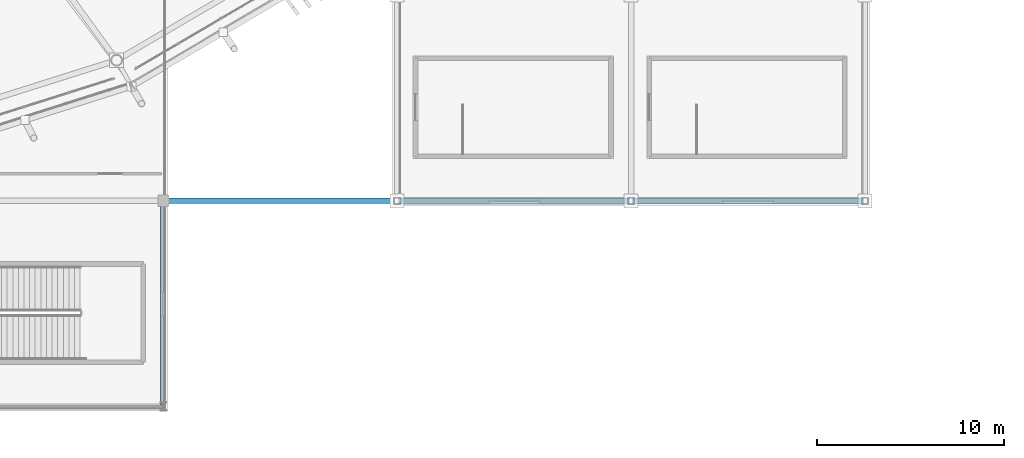
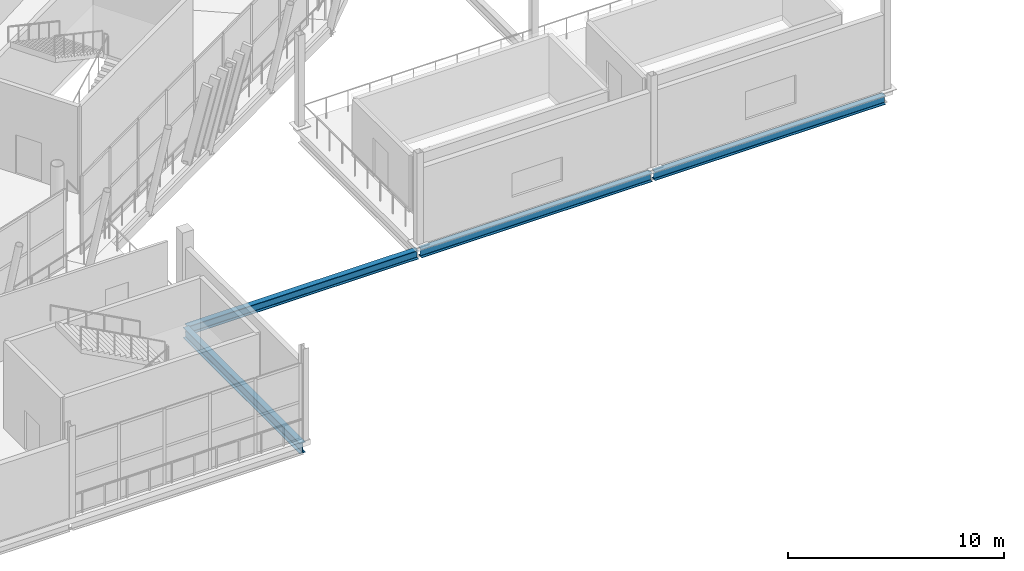
# One storey, part 53 of 178: 4 beams.
"""IFC4 building model written with IfcOpenShell, lengths in metres."""

from ifc_helpers import new_model, si_unit, direction, frame, origin, origin_2d, place, context, subcontext, project, spatial, i_section, extrude, material, material_profile, profile_set, type_object, element, save


model = new_model("IFC4")

# Units and contexts
model_context = context("Model", 3, precision=1e-05, world=origin(), true_north=direction((0.0, 1.0)))
body_context = subcontext(model_context, "Body", "Model", "MODEL_VIEW")
ifc_project = project(units=[si_unit("LENGTHUNIT", "METRE"), si_unit("AREAUNIT", "SQUARE_METRE"), si_unit("VOLUMEUNIT", "CUBIC_METRE"), si_unit("PLANEANGLEUNIT", "RADIAN"), si_unit("MASSUNIT", "GRAM", prefix="KILO")], contexts=[model_context])

# Site, building, storey
site_placement = place(None, origin())
site = spatial("IfcSite", under=ifc_project, at=site_placement, CompositionType="ELEMENT")
building_placement = place(site_placement, origin())
building = spatial("IfcBuilding", under=site, at=building_placement, Name="Zlatoyarsky Gate Stadium", CompositionType="ELEMENT")
storey_placement = place(building_placement, frame((0.0, 0.0, 5.39990234375)))
storey = spatial("IfcBuildingStorey", under=building, at=storey_placement, Name="L01", CompositionType="ELEMENT", Elevation=5.39990234375)

# Beams
ifc_material = material(Name="Steel S355", Category="steel")
ifc_material_profile_1 = material_profile(ifc_material, i_section(OverallWidth=0.300048828125, OverallDepth=0.5, WebThickness=0.014404296875, FlangeThickness=0.028076171875, FilletRadius=0.027099609375, at=origin_2d()), Name="HEB 500")
ifc_profile_set_1 = profile_set([ifc_material_profile_1], Name="Steel S355")
beam_type_1 = type_object("IfcBeamType", Name="STEEL PRIMARY GIRDER HEB 500", PredefinedType="BEAM", material=ifc_profile_set_1)
for number, where, z_axis, x_axis, name in (
    (1, (160.080078125, 11.0, -0.5498046875), (1.0, 0.0, 0.0), (0.0, 1.0, 0.0), "Beam G-HEB500 BM-L01-WGX-14-B"),
    (2, (172.580078125, 11.0, -0.5498046875), (1.0, 0.0, 0.0), (0.0, 1.0, 0.0), "Beam G-HEB500 BM-L01-WGX-15-B"),
    (3, (185.080078125, 11.0, -0.5498046875), (1.0, 0.0, 0.0), (0.0, 1.0, 0.0), "Beam G-HEB500 BM-L01-WGX-16-B"),
):
    element("IfcBeam", number, at=place(storey_placement, frame(where, z_axis=z_axis, x_axis=x_axis)), inside=storey, type_object=beam_type_1, Name=name, PredefinedType="BEAM", context=body_context, shape_type="SweptSolid", body=[
        extrude(i_section(OverallWidth=0.300048828125, OverallDepth=0.5, WebThickness=0.014404296875, FlangeThickness=0.028076171875, FilletRadius=0.027099609375, at=origin_2d()), origin(), (0.0, 0.0, 1.0), 12.33984375),
    ])
ifc_material_profile_2 = material_profile(ifc_material, i_section(OverallWidth=0.300048828125, OverallDepth=0.60009765625, WebThickness=0.015380859375, FlangeThickness=0.030029296875, FilletRadius=0.027099609375, at=origin_2d()), Name="HEB 600")
ifc_profile_set_2 = profile_set([ifc_material_profile_2], Name="Steel S355")
beam_type_2 = type_object("IfcBeamType", Name="STEEL PRIMARY GIRDER HEB 600", PredefinedType="BEAM", material=ifc_profile_set_2)
beam_placement = place(storey_placement, frame((160.0, 0.080078125, -0.599853515625), z_axis=(0.0, 1.0, 0.0), x_axis=(-1.0, 0.0, 0.0)))
element("IfcBeam", 4, at=beam_placement, inside=storey, type_object=beam_type_2, Name="Beam G-HEB600 BM-L01-WGY-14-A", PredefinedType="BEAM", context=body_context, shape_type="SweptSolid", body=[
    extrude(i_section(OverallWidth=0.300048828125, OverallDepth=0.60009765625, WebThickness=0.015380859375, FlangeThickness=0.030029296875, FilletRadius=0.027099609375, at=origin_2d()), origin(), (0.0, 0.0, 1.0), 10.83984375),
])

save(model, "model.ifc")
